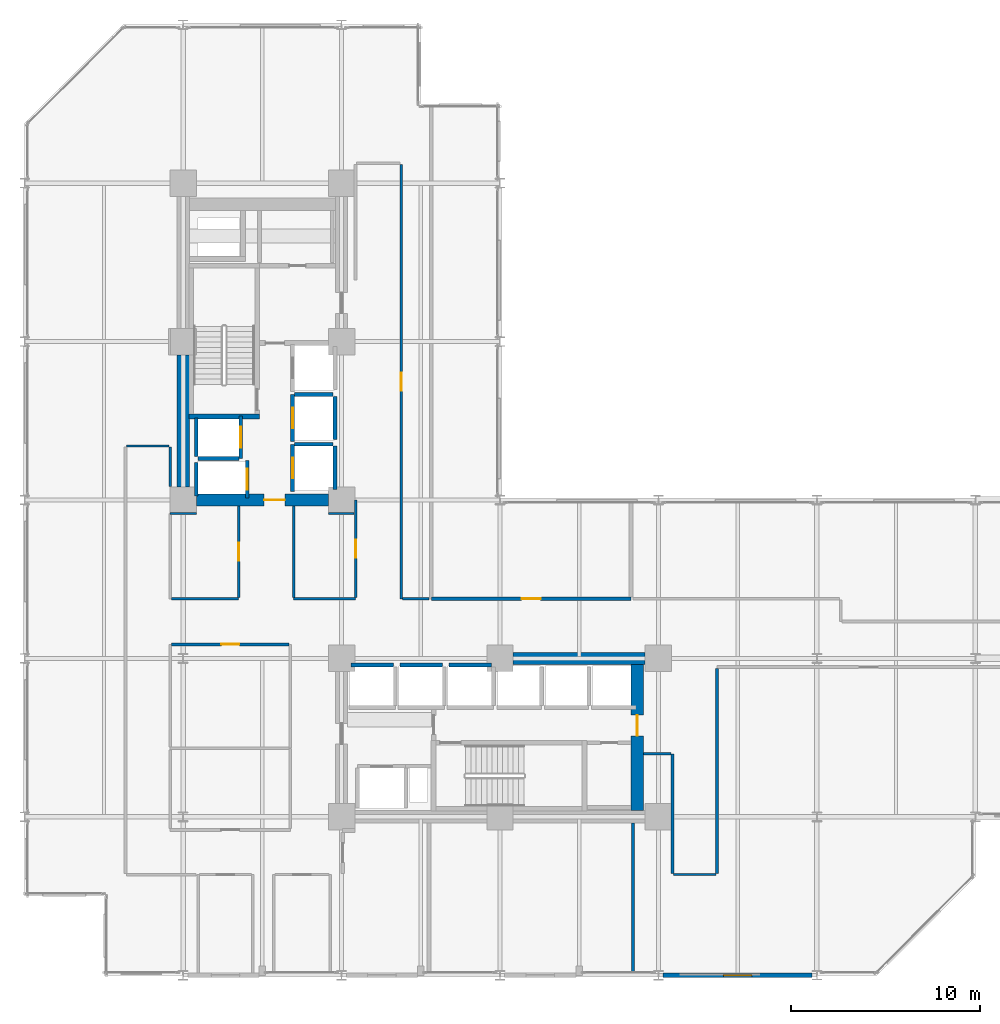
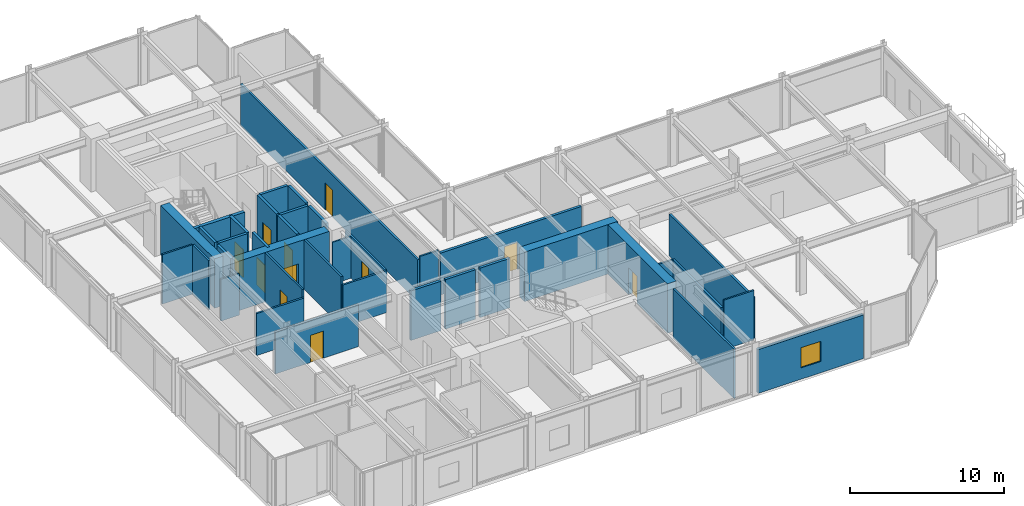
# One storey, part 22 of 26: 38 walls, 11 doors, 1 window, 12 openings.
"""IFC4 building model written with IfcOpenShell, lengths in metres."""

from ifc_helpers import new_model, si_unit, direction, frame, frame_2d, origin, place, context, subcontext, project, spatial, rectangle, extrude, material, layer, layer_set, type_object, element, fill, save


model = new_model("IFC4")

# Units and contexts
model_context = context("Model", 3, precision=1e-05, world=origin(), true_north=direction((0.0, 1.0)))
body_context = subcontext(model_context, "Body", "Model", "MODEL_VIEW")
ifc_project = project(units=[si_unit("LENGTHUNIT", "METRE"), si_unit("AREAUNIT", "SQUARE_METRE"), si_unit("VOLUMEUNIT", "CUBIC_METRE"), si_unit("PLANEANGLEUNIT", "RADIAN"), si_unit("MASSUNIT", "GRAM", prefix="KILO")], contexts=[model_context])

# Site, building, storey
site_placement = place(None, origin())
site = spatial("IfcSite", under=ifc_project, at=site_placement, CompositionType="ELEMENT")
building_placement = place(site_placement, origin())
building = spatial("IfcBuilding", under=site, at=building_placement, Name="Nerrivon Quay Data Exchange", CompositionType="ELEMENT")
storey_placement = place(building_placement, frame((0.0, 0.0, 71.0)))
storey = spatial("IfcBuildingStorey", under=building, at=storey_placement, Name="L16", CompositionType="ELEMENT", Elevation=71.0)

# Wall, opening, window
ifc_material_1 = material(Name="Architectural terracotta precast concrete N50 (50 MPa)", Category="masonry")
ifc_layer_1 = layer(ifc_material_1, 0.239990234375)
ifc_layer_set_1 = layer_set([ifc_layer_1], Name="Architectural terracotta precast concrete N50 (50 MPa)")
wall_type_1 = type_object("IfcWallType", Name="EW-PREC-240", PredefinedType="STANDARD", material=ifc_layer_set_1)
wall_1_placement = place(storey_placement, frame((41.75, 0.0, 0.0), z_axis=(0.0, 0.0, 1.0), x_axis=(-1.0, 0.0, 0.0)))
wall_1 = element("IfcWall", 1, at=wall_1_placement, inside=storey, type_object=wall_type_1, Name="L16 Podium Precast Spandrel Wall 7", PredefinedType="STANDARD", context=body_context, shape_type="SweptSolid", body=[
    extrude(rectangle(XDim=7.89990234375, YDim=0.239990234375, at=frame_2d((3.949951171875, 0.0))), origin(), (0.0, 0.0, 1.0), 3.470947265625),
])
opening_1_placement = place(wall_1_placement, frame((3.199951171875, 0.0, 0.89990234375)))
opening_1 = element("IfcOpeningElement", 2, at=opening_1_placement, cuts=wall_1, Name="Opening WN4", PredefinedType="OPENING", context=body_context, shape_type="SweptSolid", body=[
    extrude(rectangle(XDim=1.5, YDim=1.60009765625, at=frame_2d((0.75, 0.800048828125))), frame((0.0, 0.1298828125, 0.0), z_axis=(0.0, -1.0, 0.0), x_axis=(1.0, 0.0, 0.0)), (0.0, 0.0, 1.0), 0.260009765625),
])
ifc_material_2 = material(Name="Double-glazed low-E solar control glass", Category="glass")
window_type = type_object("IfcWindowType", Name="WIN-W4-1500x1600", PartitioningType="SINGLE_PANEL", PredefinedType="WINDOW", material=ifc_material_2)
window_placement = place(opening_1_placement, origin())
window = element("IfcWindow", 3, at=window_placement, inside=storey, type_object=window_type, Name="L16 Solar Facade Window 7", OverallHeight=1.60009765625, OverallWidth=1.5, PartitioningType="SINGLE_PANEL", PredefinedType="WINDOW", context=body_context, shape_type="SweptSolid", body=[
    extrude(rectangle(XDim=1.5, YDim=1.60009765625, at=frame_2d((0.75, 0.800048828125))), frame((0.0, 0.030029296875, 0.0), z_axis=(0.0, -1.0, 0.0), x_axis=(1.0, 0.0, 0.0)), (0.0, 0.0, 1.0), 0.06005859375),
])
fill(opening_1, window)

# Wall
ifc_material_3 = material(Name="Concrete N80 (80 MPa)", Category="concrete")
ifc_layer_2 = layer(ifc_material_3, 0.64990234375)
ifc_layer_set_2 = layer_set([ifc_layer_2], Name="Concrete N80 (80 MPa)")
wall_type_2 = type_object("IfcWallType", Name="WALL-CW-850", PredefinedType="SHEAR", material=ifc_layer_set_2)
wall_2_placement = place(storey_placement, frame((8.39990234375, 25.89990234375, 0.0), z_axis=(0.0, 0.0, 1.0), x_axis=(0.0, 1.0, 0.0)))
element("IfcWall", 4, at=wall_2_placement, inside=storey, type_object=wall_type_2, Name="L16 West Split-Core Shear Wall WCW-W1", PredefinedType="SHEAR", context=body_context, shape_type="SweptSolid", body=[
    extrude(rectangle(XDim=7.0, YDim=0.64990234375, at=frame_2d((3.5, 0.0))), origin(), (0.0, 0.0, 1.0), 3.925048828125),
])

# Wall, opening, door
wall_3_placement = place(storey_placement, frame((9.10009765625, 25.199951171875, 0.0), z_axis=(0.0, 0.0, 1.0), x_axis=(1.0, 0.0, 0.0)))
wall_3 = element("IfcWall", 5, at=wall_3_placement, inside=storey, type_object=wall_type_2, Name="L16 West Split-Core Shear Wall WCW-S1", PredefinedType="SHEAR", context=body_context, shape_type="SweptSolid", body=[
    extrude(rectangle(XDim=7.0, YDim=0.64990234375, at=frame_2d((3.5, 0.0))), origin(), (0.0, 0.0, 1.0), 3.925048828125),
])
opening_2_placement = place(wall_3_placement, frame((3.60009765625, 0.0, 0.0)))
opening_2 = element("IfcOpeningElement", 6, at=opening_2_placement, cuts=wall_3, Name="Opening FD-120", PredefinedType="OPENING", context=body_context, shape_type="SweptSolid", body=[
    extrude(rectangle(XDim=1.10009765625, YDim=2.14990234375, at=frame_2d((0.550048828125, 1.074951171875))), frame((0.0, 0.3349609375, 0.0), z_axis=(0.0, -1.0, 0.0), x_axis=(1.0, 0.0, 0.0)), (0.0, 0.0, 1.0), 0.669921875),
])
ifc_material_4 = material(Name="Powder-coated galvanized steel sheet", Category="steel")
door_type_1 = type_object("IfcDoorType", Name="DR-FD120-1100", OperationType="NOTDEFINED", PredefinedType="DOOR", material=ifc_material_4)
door_1_placement = place(opening_2_placement, origin())
door_1 = element("IfcDoor", 7, at=door_1_placement, inside=storey, type_object=door_type_1, Name="L16 West Core Lobby Fire Door", OperationType="SINGLE_SWING_LEFT", OverallHeight=2.14990234375, OverallWidth=1.10009765625, PredefinedType="DOOR", context=body_context, shape_type="SweptSolid", body=[
    extrude(rectangle(XDim=1.10009765625, YDim=2.14990234375, at=frame_2d((0.550048828125, 1.074951171875))), frame((0.0, 0.02490234375, 0.0), z_axis=(0.0, -1.0, 0.0), x_axis=(1.0, 0.0, 0.0)), (0.0, 0.0, 1.0), 0.050048828125),
])
fill(opening_2, door_1)

wall_4_placement = place(storey_placement, frame((32.47509765625, 8.72509765625, 0.0), z_axis=(0.0, 0.0, 1.0), x_axis=(0.0, 1.0, 0.0)))
wall_4 = element("IfcWall", 8, at=wall_4_placement, inside=storey, type_object=wall_type_2, Name="L16 East Split-Core Shear Wall ECW-E1", PredefinedType="SHEAR", context=body_context, shape_type="SweptSolid", body=[
    extrude(rectangle(XDim=7.75, YDim=0.64990234375, at=frame_2d((3.875, 0.0))), origin(), (0.0, 0.0, 1.0), 3.925048828125),
])
opening_3_placement = place(wall_4_placement, frame((3.97509765625, 0.0, 0.0)))
opening_3 = element("IfcOpeningElement", 9, at=opening_3_placement, cuts=wall_4, Name="Opening FD-120", PredefinedType="OPENING", context=body_context, shape_type="SweptSolid", body=[
    extrude(rectangle(XDim=1.10009765625, YDim=2.14990234375, at=frame_2d((0.550048828125, 1.074951171875))), frame((0.0, 0.3349609375, 0.0), z_axis=(0.0, -1.0, 0.0), x_axis=(1.0, 0.0, 0.0)), (0.0, 0.0, 1.0), 0.669921875),
])
door_2_placement = place(opening_3_placement, origin())
door_2 = element("IfcDoor", 10, at=door_2_placement, inside=storey, type_object=door_type_1, Name="L16 East Core Lobby Fire Door", OperationType="SINGLE_SWING_RIGHT", OverallHeight=2.14990234375, OverallWidth=1.10009765625, PredefinedType="DOOR", context=body_context, shape_type="SweptSolid", body=[
    extrude(rectangle(XDim=1.10009765625, YDim=2.14990234375, at=frame_2d((0.550048828125, 1.074951171875))), frame((0.0, 0.02490234375, 0.0), z_axis=(0.0, -1.0, 0.0), x_axis=(1.0, 0.0, 0.0)), (0.0, 0.0, 1.0), 0.050048828125),
])
fill(opening_3, door_2)

# Wall
wall_5_placement = place(storey_placement, frame((25.89990234375, 16.800048828125, 0.0), z_axis=(0.0, 0.0, 1.0), x_axis=(1.0, 0.0, 0.0)))
element("IfcWall", 11, at=wall_5_placement, inside=storey, type_object=wall_type_2, Name="L16 East Split-Core Shear Wall ECW-N1", PredefinedType="SHEAR", context=body_context, shape_type="SweptSolid", body=[
    extrude(rectangle(XDim=7.0, YDim=0.64990234375, at=frame_2d((3.5, 0.0))), origin(), (0.0, 0.0, 1.0), 3.925048828125),
])

# Wall, opening, door
ifc_material_5 = material(Name="Gypsum plasterboard on cold-formed framing", Category="gypsum")
ifc_layer_3 = layer(ifc_material_5, 0.199951171875)
ifc_layer_set_3 = layer_set([ifc_layer_3], Name="Gypsum plasterboard on cold-formed framing")
wall_type_3 = type_object("IfcWallType", Name="WALL-FW-200", PredefinedType="PARTITIONING", material=ifc_layer_set_3)
wall_6_placement = place(storey_placement, frame((11.449951171875, 27.39990234375, 0.0), z_axis=(0.0, 0.0, 1.0), x_axis=(0.0, 1.0, 0.0)))
wall_6 = element("IfcWall", 12, at=wall_6_placement, inside=storey, type_object=wall_type_3, Name="L16 Lift Front Wall FFL-1", PredefinedType="PARTITIONING", context=body_context, shape_type="SweptSolid", body=[
    extrude(rectangle(XDim=2.25, YDim=0.199951171875, at=frame_2d((1.125, 0.0))), origin(), (0.0, 0.0, 1.0), 3.925048828125),
])
opening_4_placement = place(wall_6_placement, frame((0.574951171875, 0.0, 0.0)))
opening_4 = element("IfcOpeningElement", 13, at=opening_4_placement, cuts=wall_6, Name="Opening LD-120", PredefinedType="OPENING", context=body_context, shape_type="SweptSolid", body=[
    extrude(rectangle(XDim=1.10009765625, YDim=2.199951171875, at=frame_2d((0.550048828125, 1.10009765625))), frame((0.0, 0.10986328125, 0.0), z_axis=(0.0, -1.0, 0.0), x_axis=(1.0, 0.0, 0.0)), (0.0, 0.0, 1.0), 0.219970703125),
])
door_type_2 = type_object("IfcDoorType", Name="DR-LIFT-LD120", OperationType="DOUBLE_DOOR_SLIDING", PredefinedType="DOOR", material=ifc_material_4)
door_3_placement = place(opening_4_placement, origin())
door_3 = element("IfcDoor", 14, at=door_3_placement, inside=storey, type_object=door_type_2, Name="L16 Lift Landing Sliding Door FFL-1", OperationType="DOUBLE_DOOR_SLIDING", OverallHeight=2.199951171875, OverallWidth=1.10009765625, PredefinedType="DOOR", context=body_context, shape_type="SweptSolid", body=[
    extrude(rectangle(XDim=1.10009765625, YDim=2.199951171875, at=frame_2d((0.550048828125, 1.10009765625))), frame((0.0, 0.02490234375, 0.0), z_axis=(0.0, -1.0, 0.0), x_axis=(1.0, 0.0, 0.0)), (0.0, 0.0, 1.0), 0.050048828125),
])
fill(opening_4, door_3)

# Walls
wall_7_placement = place(storey_placement, frame((9.10009765625, 27.5, 0.0), z_axis=(0.0, 0.0, 1.0), x_axis=(0.0, 1.0, 0.0)))
element("IfcWall", 15, at=wall_7_placement, inside=storey, type_object=wall_type_3, Name="L16 Lift Shaft Wall FFL-1 WEST", PredefinedType="PARTITIONING", context=body_context, shape_type="SweptSolid", body=[
    extrude(rectangle(XDim=2.050048828125, YDim=0.199951171875, at=frame_2d((1.02490234375, 0.0))), origin(), (0.0, 0.0, 1.0), 3.925048828125),
])
wall_8_placement = place(storey_placement, frame((9.199951171875, 27.39990234375, 0.0), z_axis=(0.0, 0.0, 1.0), x_axis=(1.0, 0.0, 0.0)))
element("IfcWall", 16, at=wall_8_placement, inside=storey, type_object=wall_type_3, Name="L16 Lift Shaft Wall FFL-1 SOUTH", PredefinedType="PARTITIONING", context=body_context, shape_type="SweptSolid", body=[
    extrude(rectangle(XDim=2.150146484375, YDim=0.199951171875, at=frame_2d((1.0751953125, 0.0))), origin(), (0.0, 0.0, 1.0), 3.925048828125),
])

# Wall, opening, door
wall_9_placement = place(storey_placement, frame((11.800048828125, 25.300048828125, 0.0), z_axis=(0.0, 0.0, 1.0), x_axis=(0.0, 1.0, 0.0)))
wall_9 = element("IfcWall", 17, at=wall_9_placement, inside=storey, type_object=wall_type_3, Name="L16 Lift Front Wall SVL-1", PredefinedType="PARTITIONING", context=body_context, shape_type="SweptSolid", body=[
    extrude(rectangle(XDim=2.0, YDim=0.199951171875, at=frame_2d((1.0, 0.0))), origin(), (0.0, 0.0, 1.0), 3.925048828125),
])
opening_5_placement = place(wall_9_placement, frame((0.449951171875, 0.0, 0.0)))
opening_5 = element("IfcOpeningElement", 18, at=opening_5_placement, cuts=wall_9, Name="Opening LD-120", PredefinedType="OPENING", context=body_context, shape_type="SweptSolid", body=[
    extrude(rectangle(XDim=1.10009765625, YDim=2.199951171875, at=frame_2d((0.550048828125, 1.10009765625))), frame((0.0, 0.10986328125, 0.0), z_axis=(0.0, -1.0, 0.0), x_axis=(1.0, 0.0, 0.0)), (0.0, 0.0, 1.0), 0.219970703125),
])
door_4_placement = place(opening_5_placement, origin())
door_4 = element("IfcDoor", 19, at=door_4_placement, inside=storey, type_object=door_type_2, Name="L16 Lift Landing Sliding Door SVL-1", OperationType="DOUBLE_DOOR_SLIDING", OverallHeight=2.199951171875, OverallWidth=1.10009765625, PredefinedType="DOOR", context=body_context, shape_type="SweptSolid", body=[
    extrude(rectangle(XDim=1.10009765625, YDim=2.199951171875, at=frame_2d((0.550048828125, 1.10009765625))), frame((0.0, 0.02490234375, 0.0), z_axis=(0.0, -1.0, 0.0), x_axis=(1.0, 0.0, 0.0)), (0.0, 0.0, 1.0), 0.050048828125),
])
fill(opening_5, door_4)

# Wall
wall_10_placement = place(storey_placement, frame((9.10009765625, 25.39990234375, 0.0), z_axis=(0.0, 0.0, 1.0), x_axis=(0.0, 1.0, 0.0)))
element("IfcWall", 20, at=wall_10_placement, inside=storey, type_object=wall_type_3, Name="L16 Lift Shaft Wall SVL-1 WEST", PredefinedType="PARTITIONING", context=body_context, shape_type="SweptSolid", body=[
    extrude(rectangle(XDim=1.800048828125, YDim=0.199951171875, at=frame_2d((0.89990234375, 0.0))), origin(), (0.0, 0.0, 1.0), 3.925048828125),
])

# Wall, opening, door
wall_11_placement = place(storey_placement, frame((14.199951171875, 25.64990234375, 0.0), z_axis=(0.0, 0.0, 1.0), x_axis=(0.0, 1.0, 0.0)))
wall_11 = element("IfcWall", 21, at=wall_11_placement, inside=storey, type_object=wall_type_3, Name="L16 Lift Front Wall PL1", PredefinedType="PARTITIONING", context=body_context, shape_type="SweptSolid", body=[
    extrude(rectangle(XDim=2.5, YDim=0.199951171875, at=frame_2d((1.25, 0.0))), origin(), (0.0, 0.0, 1.0), 3.925048828125),
])
opening_6_placement = place(wall_11_placement, frame((0.699951171875, 0.0, 0.0)))
opening_6 = element("IfcOpeningElement", 22, at=opening_6_placement, cuts=wall_11, Name="Opening LD-120", PredefinedType="OPENING", context=body_context, shape_type="SweptSolid", body=[
    extrude(rectangle(XDim=1.10009765625, YDim=2.199951171875, at=frame_2d((0.550048828125, 1.10009765625))), frame((0.0, 0.10986328125, 0.0), z_axis=(0.0, -1.0, 0.0), x_axis=(1.0, 0.0, 0.0)), (0.0, 0.0, 1.0), 0.219970703125),
])
door_5_placement = place(opening_6_placement, origin())
door_5 = element("IfcDoor", 23, at=door_5_placement, inside=storey, type_object=door_type_2, Name="L16 Lift Landing Sliding Door PL1", OperationType="DOUBLE_DOOR_SLIDING", OverallHeight=2.199951171875, OverallWidth=1.10009765625, PredefinedType="DOOR", context=body_context, shape_type="SweptSolid", body=[
    extrude(rectangle(XDim=1.10009765625, YDim=2.199951171875, at=frame_2d((0.550048828125, 1.10009765625))), frame((0.0, 0.02490234375, 0.0), z_axis=(0.0, -1.0, 0.0), x_axis=(1.0, 0.0, 0.0)), (0.0, 0.0, 1.0), 0.050048828125),
])
fill(opening_6, door_5)

# Walls
wall_12_placement = place(storey_placement, frame((16.449951171875, 25.75, 0.0), z_axis=(0.0, 0.0, 1.0), x_axis=(0.0, 1.0, 0.0)))
element("IfcWall", 24, at=wall_12_placement, inside=storey, type_object=wall_type_3, Name="L16 Lift Shaft Wall PL1 EAST", PredefinedType="PARTITIONING", context=body_context, shape_type="SweptSolid", body=[
    extrude(rectangle(XDim=2.300048828125, YDim=0.199951171875, at=frame_2d((1.14990234375, 0.0))), origin(), (0.0, 0.0, 1.0), 3.925048828125),
])
wall_13_placement = place(storey_placement, frame((14.300048828125, 28.14990234375, 0.0), z_axis=(0.0, 0.0, 1.0), x_axis=(1.0, 0.0, 0.0)))
element("IfcWall", 25, at=wall_13_placement, inside=storey, type_object=wall_type_3, Name="L16 Lift Shaft Wall PL1 NORTH", PredefinedType="PARTITIONING", context=body_context, shape_type="SweptSolid", body=[
    extrude(rectangle(XDim=2.050048828125, YDim=0.199951171875, at=frame_2d((1.02490234375, 0.0))), origin(), (0.0, 0.0, 1.0), 3.925048828125),
])

# Wall, opening, door
wall_14_placement = place(storey_placement, frame((14.199951171875, 28.300048828125, 0.0), z_axis=(0.0, 0.0, 1.0), x_axis=(0.0, 1.0, 0.0)))
wall_14 = element("IfcWall", 26, at=wall_14_placement, inside=storey, type_object=wall_type_3, Name="L16 Lift Front Wall PL2", PredefinedType="PARTITIONING", context=body_context, shape_type="SweptSolid", body=[
    extrude(rectangle(XDim=2.5, YDim=0.199951171875, at=frame_2d((1.25, 0.0))), origin(), (0.0, 0.0, 1.0), 3.925048828125),
])
opening_7_placement = place(wall_14_placement, frame((0.699951171875, 0.0, 0.0)))
opening_7 = element("IfcOpeningElement", 27, at=opening_7_placement, cuts=wall_14, Name="Opening LD-120", PredefinedType="OPENING", context=body_context, shape_type="SweptSolid", body=[
    extrude(rectangle(XDim=1.10009765625, YDim=2.199951171875, at=frame_2d((0.550048828125, 1.10009765625))), frame((0.0, 0.10986328125, 0.0), z_axis=(0.0, -1.0, 0.0), x_axis=(1.0, 0.0, 0.0)), (0.0, 0.0, 1.0), 0.219970703125),
])
door_6_placement = place(opening_7_placement, origin())
door_6 = element("IfcDoor", 28, at=door_6_placement, inside=storey, type_object=door_type_2, Name="L16 Lift Landing Sliding Door PL2", OperationType="DOUBLE_DOOR_SLIDING", OverallHeight=2.199951171875, OverallWidth=1.10009765625, PredefinedType="DOOR", context=body_context, shape_type="SweptSolid", body=[
    extrude(rectangle(XDim=1.10009765625, YDim=2.199951171875, at=frame_2d((0.550048828125, 1.10009765625))), frame((0.0, 0.02490234375, 0.0), z_axis=(0.0, -1.0, 0.0), x_axis=(1.0, 0.0, 0.0)), (0.0, 0.0, 1.0), 0.050048828125),
])
fill(opening_7, door_6)

# Walls
wall_15_placement = place(storey_placement, frame((16.449951171875, 28.39990234375, 0.0), z_axis=(0.0, 0.0, 1.0), x_axis=(0.0, 1.0, 0.0)))
element("IfcWall", 29, at=wall_15_placement, inside=storey, type_object=wall_type_3, Name="L16 Lift Shaft Wall PL2 EAST", PredefinedType="PARTITIONING", context=body_context, shape_type="SweptSolid", body=[
    extrude(rectangle(XDim=2.300048828125, YDim=0.199951171875, at=frame_2d((1.14990234375, 0.0))), origin(), (0.0, 0.0, 1.0), 3.925048828125),
])
wall_16_placement = place(storey_placement, frame((14.300048828125, 30.800048828125, 0.0), z_axis=(0.0, 0.0, 1.0), x_axis=(1.0, 0.0, 0.0)))
element("IfcWall", 30, at=wall_16_placement, inside=storey, type_object=wall_type_3, Name="L16 Lift Shaft Wall PL2 NORTH", PredefinedType="PARTITIONING", context=body_context, shape_type="SweptSolid", body=[
    extrude(rectangle(XDim=2.050048828125, YDim=0.199951171875, at=frame_2d((1.02490234375, 0.0))), origin(), (0.0, 0.0, 1.0), 3.925048828125),
])
for number, where, z_axis, x_axis, name in (
    (31, (17.300048828125, 16.449951171875, 0.0), (0.0, 0.0, 1.0), (1.0, 0.0, 0.0), "L16 Lift Shaft Wall PL4 NORTH"),
    (32, (19.89990234375, 16.449951171875, 0.0), (0.0, 0.0, 1.0), (1.0, 0.0, 0.0), "L16 Lift Shaft Wall PL5 NORTH"),
    (33, (22.5, 16.449951171875, 0.0), (0.0, 0.0, 1.0), (1.0, 0.0, 0.0), "L16 Lift Shaft Wall PL6 NORTH"),
):
    element("IfcWall", number, at=place(storey_placement, frame(where, z_axis=z_axis, x_axis=x_axis)), inside=storey, type_object=wall_type_3, Name=name, PredefinedType="PARTITIONING", context=body_context, shape_type="SweptSolid", body=[
        extrude(rectangle(XDim=2.25, YDim=0.199951171875, at=frame_2d((1.125, 0.0))), origin(), (0.0, 0.0, 1.0), 3.925048828125),
    ])

# Wall, opening, door
wall_17_placement = place(storey_placement, frame((21.556884765625, 19.9599609375, 0.0), z_axis=(0.0, 0.0, 1.0), x_axis=(1.0, 0.0, 0.0)))
wall_17 = element("IfcWall", 34, at=wall_17_placement, inside=storey, type_object=wall_type_3, Name="L16 Partition Colocation Data Workspace 2", PredefinedType="PARTITIONING", context=body_context, shape_type="SweptSolid", body=[
    extrude(rectangle(XDim=10.5830078125, YDim=0.199951171875, at=frame_2d((5.29150390625, 0.0))), origin(), (0.0, 0.0, 1.0), 3.322998046875),
])
opening_8_placement = place(wall_17_placement, frame((4.79150390625, 0.0, 0.0)))
opening_8 = element("IfcOpeningElement", 35, at=opening_8_placement, cuts=wall_17, Name="Opening FD-60", PredefinedType="OPENING", context=body_context, shape_type="SweptSolid", body=[
    extrude(rectangle(XDim=1.0, YDim=2.14990234375, at=frame_2d((0.5, 1.074951171875))), frame((0.0, 0.10986328125, 0.0), z_axis=(0.0, -1.0, 0.0), x_axis=(1.0, 0.0, 0.0)), (0.0, 0.0, 1.0), 0.219970703125),
])
ifc_material_6 = material(Name="Engineered hardwood timber", Category="wood")
door_type_3 = type_object("IfcDoorType", Name="DR-FD60-1000", OperationType="NOTDEFINED", PredefinedType="DOOR", material=ifc_material_6)
door_7_placement = place(opening_8_placement, origin())
door_7 = element("IfcDoor", 36, at=door_7_placement, inside=storey, type_object=door_type_3, Name="L16 Door Colocation Data Workspace 2", OperationType="SINGLE_SWING_RIGHT", OverallHeight=2.14990234375, OverallWidth=1.0, PredefinedType="DOOR", context=body_context, shape_type="SweptSolid", body=[
    extrude(rectangle(XDim=1.0, YDim=2.14990234375, at=frame_2d((0.5, 1.074951171875))), frame((0.0, 0.02490234375, 0.0), z_axis=(0.0, -1.0, 0.0), x_axis=(1.0, 0.0, 0.0)), (0.0, 0.0, 1.0), 0.050048828125),
])
fill(opening_8, door_7)

# Walls
ifc_layer_4 = layer(ifc_material_5, 0.1201171875)
ifc_layer_set_4 = layer_set([ifc_layer_4], Name="Gypsum plasterboard on cold-formed framing")
wall_type_4 = type_object("IfcWallType", Name="WALL-PT-120", PredefinedType="PARTITIONING", material=ifc_layer_set_4)
wall_18_placement = place(storey_placement, frame((17.468505859375, 24.47998046875, 0.0), z_axis=(0.0, 0.0, 1.0), x_axis=(-0.99999974752, 0.000710605612, 0.0)))
element("IfcWall", 37, at=wall_18_placement, inside=storey, type_object=wall_type_4, Name="L16 Partition Staff Pantry", PredefinedType="PARTITIONING", context=body_context, shape_type="SweptSolid", body=[
    extrude(rectangle(XDim=1.374267578125, YDim=0.1201171875, at=frame_2d((0.68701171875, 0.0))), origin(), (0.0, 0.0, 1.0), 3.322998046875),
])
wall_19_placement = place(storey_placement, frame((36.64990234375, 5.340087890625, 0.0), z_axis=(0.0, 0.0, 1.0), x_axis=(-1.0, 0.0, 0.0)))
element("IfcWall", 38, at=wall_19_placement, inside=storey, type_object=wall_type_4, Name="L16 Partition Network Operations Office 1", PredefinedType="PARTITIONING", context=body_context, shape_type="SweptSolid", body=[
    extrude(rectangle(XDim=2.25, YDim=0.1201171875, at=frame_2d((1.125, 0.0))), origin(), (0.0, 0.0, 1.0), 3.925048828125),
])
wall_20_placement = place(storey_placement, frame((34.260986328125, 11.739990234375, 0.0), z_axis=(0.0, 0.0, 1.0), x_axis=(-1.0, 0.0, 0.0)))
element("IfcWall", 39, at=wall_20_placement, inside=storey, type_object=wall_type_4, Name="L16 Partition Network Operations Office 1", PredefinedType="PARTITIONING", context=body_context, shape_type="SweptSolid", body=[
    extrude(rectangle(XDim=1.45703125, YDim=0.1201171875, at=frame_2d((0.728515625, 0.0))), origin(), (0.0, 0.0, 1.0), 3.322998046875),
])
wall_21_placement = place(storey_placement, frame((20.0390625, 19.9599609375, 0.0), z_axis=(0.0, 0.0, 1.0), x_axis=(1.0, 0.0, 0.0)))
element("IfcWall", 40, at=wall_21_placement, inside=storey, type_object=wall_type_4, Name="L16 Partition Optical Engineering Studios Workspace", PredefinedType="PARTITIONING", context=body_context, shape_type="SweptSolid", body=[
    extrude(rectangle(XDim=1.397705078125, YDim=0.1201171875, at=frame_2d((0.69873046875, 0.0))), origin(), (0.0, 0.0, 1.0), 3.56591796875),
])
wall_22_placement = place(storey_placement, frame((5.39990234375, 28.06005859375, 0.0), z_axis=(0.0, 0.0, 1.0), x_axis=(1.0, 0.0, 0.0)))
element("IfcWall", 41, at=wall_22_placement, inside=storey, type_object=wall_type_4, Name="L16 Partition Optical Engineering Studios Workspace", PredefinedType="PARTITIONING", context=body_context, shape_type="SweptSolid", body=[
    extrude(rectangle(XDim=2.25, YDim=0.1201171875, at=frame_2d((1.125, 0.0))), origin(), (0.0, 0.0, 1.0), 3.925048828125),
])
wall_23_placement = place(storey_placement, frame((7.7099609375, 28.0, 0.0), z_axis=(0.0, 0.0, 1.0), x_axis=(0.0, -1.0, 0.0)))
element("IfcWall", 42, at=wall_23_placement, inside=storey, type_object=wall_type_4, Name="L16 Partition Optical Engineering Studios Workspace", PredefinedType="PARTITIONING", context=body_context, shape_type="SweptSolid", body=[
    extrude(rectangle(XDim=2.080078125, YDim=0.1201171875, at=frame_2d((1.0400390625, 0.0))), origin(), (0.0, 0.0, 1.0), 3.925048828125),
])
wall_24_placement = place(storey_placement, frame((9.105712890625, 24.48095703125, 0.0), z_axis=(0.0, 0.0, 1.0), x_axis=(-0.999999755233, -0.000699667487, 0.0)))
element("IfcWall", 43, at=wall_24_placement, inside=storey, type_object=wall_type_4, Name="L16 Partition Optical Engineering Studios Workspace", PredefinedType="PARTITIONING", context=body_context, shape_type="SweptSolid", body=[
    extrude(rectangle(XDim=1.395751953125, YDim=0.1201171875, at=frame_2d((0.69775390625, 0.0))), origin(), (0.0, 0.0, 1.0), 3.322998046875),
])
ifc_layer_5 = layer(ifc_material_5, 0.135009765625)
ifc_layer_set_5 = layer_set([ifc_layer_5], Name="Gypsum plasterboard on cold-formed framing")
wall_type_5 = type_object("IfcWallType", Name="WALL-PT-135", PredefinedType="PARTITIONING", material=ifc_layer_set_5)
wall_25_placement = place(storey_placement, frame((14.260009765625, 19.9599609375, 0.0), z_axis=(0.0, 0.0, 1.0), x_axis=(1.0, 0.0, 0.0)))
element("IfcWall", 44, at=wall_25_placement, inside=storey, type_object=wall_type_5, Name="L16 Partition Staff Pantry", PredefinedType="PARTITIONING", context=body_context, shape_type="SweptSolid", body=[
    extrude(rectangle(XDim=3.280029296875, YDim=0.135009765625, at=frame_2d((1.64013671875, 0.0))), origin(), (0.0, 0.0, 1.0), 3.322998046875),
])

# Wall, opening, door
wall_26_placement = place(storey_placement, frame((17.5400390625, 20.031494140625, 0.0), z_axis=(0.0, 0.0, 1.0), x_axis=(0.0, 1.0, 0.0)))
wall_26 = element("IfcWall", 45, at=wall_26_placement, inside=storey, type_object=wall_type_5, Name="L16 Partition Staff Pantry", PredefinedType="PARTITIONING", context=body_context, shape_type="SweptSolid", body=[
    extrude(rectangle(XDim=5.16845703125, YDim=0.135009765625, at=frame_2d((2.584228515625, 0.0))), origin(), (0.0, 0.0, 1.0), 3.31298828125),
])
opening_9_placement = place(wall_26_placement, frame((2.109130859375, 0.0, 0.0)))
opening_9 = element("IfcOpeningElement", 46, at=opening_9_placement, cuts=wall_26, Name="Opening D-01", PredefinedType="OPENING", context=body_context, shape_type="SweptSolid", body=[
    extrude(rectangle(XDim=0.949951171875, YDim=2.14990234375, at=frame_2d((0.47509765625, 1.074951171875))), frame((0.0, 0.077392578125, 0.0), z_axis=(0.0, -1.0, 0.0), x_axis=(1.0, 0.0, 0.0)), (0.0, 0.0, 1.0), 0.155029296875),
])
door_type_4 = type_object("IfcDoorType", Name="DR-INT-950", OperationType="NOTDEFINED", PredefinedType="DOOR", material=ifc_material_6)
door_8_placement = place(opening_9_placement, origin())
door_8 = element("IfcDoor", 47, at=door_8_placement, inside=storey, type_object=door_type_4, Name="L16 Door Staff Pantry", OperationType="SINGLE_SWING_RIGHT", OverallHeight=2.14990234375, OverallWidth=0.949951171875, PredefinedType="DOOR", context=body_context, shape_type="SweptSolid", body=[
    extrude(rectangle(XDim=0.949951171875, YDim=2.14990234375, at=frame_2d((0.47509765625, 1.074951171875))), frame((0.0, 0.02490234375, 0.0), z_axis=(0.0, -1.0, 0.0), x_axis=(1.0, 0.0, 0.0)), (0.0, 0.0, 1.0), 0.050048828125),
])
fill(opening_9, door_8)

# Walls
wall_27_placement = place(storey_placement, frame((14.260009765625, 24.87109375, 0.0), z_axis=(0.0, 0.0, 1.0), x_axis=(0.0, -1.0, 0.0)))
element("IfcWall", 48, at=wall_27_placement, inside=storey, type_object=wall_type_5, Name="L16 Partition Staff Pantry", PredefinedType="PARTITIONING", context=body_context, shape_type="SweptSolid", body=[
    extrude(rectangle(XDim=4.839599609375, YDim=0.135009765625, at=frame_2d((2.419921875, 0.0))), origin(), (0.0, 0.0, 1.0), 3.925048828125),
])
wall_28_placement = place(storey_placement, frame((7.781494140625, 19.9599609375, 0.0), z_axis=(0.0, 0.0, 1.0), x_axis=(1.0, 0.0, 0.0)))
element("IfcWall", 49, at=wall_28_placement, inside=storey, type_object=wall_type_5, Name="L16 Partition Optical Engineering Studios Workspace", PredefinedType="PARTITIONING", context=body_context, shape_type="SweptSolid", body=[
    extrude(rectangle(XDim=3.55859375, YDim=0.135009765625, at=frame_2d((1.779296875, 0.0))), origin(), (0.0, 0.0, 1.0), 3.322998046875),
])

# Wall, opening, door
wall_29_placement = place(storey_placement, frame((11.340087890625, 20.031494140625, 0.0), z_axis=(0.0, 0.0, 1.0), x_axis=(0.0, 1.0, 0.0)))
wall_29 = element("IfcWall", 50, at=wall_29_placement, inside=storey, type_object=wall_type_5, Name="L16 Partition Optical Engineering Studios Workspace", PredefinedType="PARTITIONING", context=body_context, shape_type="SweptSolid", body=[
    extrude(rectangle(XDim=4.839599609375, YDim=0.135009765625, at=frame_2d((2.419921875, 0.0))), origin(), (0.0, 0.0, 1.0), 3.925048828125),
])
opening_10_placement = place(wall_29_placement, frame((1.944580078125, 0.0, 0.0)))
opening_10 = element("IfcOpeningElement", 51, at=opening_10_placement, cuts=wall_29, Name="Opening D-01", PredefinedType="OPENING", context=body_context, shape_type="SweptSolid", body=[
    extrude(rectangle(XDim=0.949951171875, YDim=2.14990234375, at=frame_2d((0.47509765625, 1.074951171875))), frame((0.0, 0.077392578125, 0.0), z_axis=(0.0, -1.0, 0.0), x_axis=(1.0, 0.0, 0.0)), (0.0, 0.0, 1.0), 0.155029296875),
])
door_9_placement = place(opening_10_placement, origin())
door_9 = element("IfcDoor", 52, at=door_9_placement, inside=storey, type_object=door_type_4, Name="L16 Door Optical Engineering Studios Workspace", OperationType="SINGLE_SWING_LEFT", OverallHeight=2.14990234375, OverallWidth=0.949951171875, PredefinedType="DOOR", context=body_context, shape_type="SweptSolid", body=[
    extrude(rectangle(XDim=0.949951171875, YDim=2.14990234375, at=frame_2d((0.47509765625, 1.074951171875))), frame((0.0, 0.02490234375, 0.0), z_axis=(0.0, -1.0, 0.0), x_axis=(1.0, 0.0, 0.0)), (0.0, 0.0, 1.0), 0.050048828125),
])
fill(opening_10, door_9)

ifc_layer_6 = layer(ifc_material_5, 0.14990234375)
ifc_layer_set_6 = layer_set([ifc_layer_6], Name="Gypsum plasterboard on cold-formed framing")
wall_type_6 = type_object("IfcWallType", Name="WALL-PT-150", PredefinedType="PARTITIONING", material=ifc_layer_set_6)
wall_30_placement = place(storey_placement, frame((14.0185546875, 17.5400390625, 0.0), z_axis=(0.0, 0.0, 1.0), x_axis=(-1.0, 0.0, 0.0)))
wall_30 = element("IfcWall", 53, at=wall_30_placement, inside=storey, type_object=wall_type_6, Name="L16 Partition Cloud Compute Workspace 1", PredefinedType="PARTITIONING", context=body_context, shape_type="SweptSolid", body=[
    extrude(rectangle(XDim=6.237060546875, YDim=0.14990234375, at=frame_2d((3.11865234375, 0.0))), origin(), (0.0, 0.0, 1.0), 3.322998046875),
])
opening_11_placement = place(wall_30_placement, frame((2.6435546875, 0.0, 0.0)))
opening_11 = element("IfcOpeningElement", 54, at=opening_11_placement, cuts=wall_30, Name="Opening D-01", PredefinedType="OPENING", context=body_context, shape_type="SweptSolid", body=[
    extrude(rectangle(XDim=0.949951171875, YDim=2.14990234375, at=frame_2d((0.47509765625, 1.074951171875))), frame((0.0, 0.0849609375, 0.0), z_axis=(0.0, -1.0, 0.0), x_axis=(1.0, 0.0, 0.0)), (0.0, 0.0, 1.0), 0.169921875),
])
door_10_placement = place(opening_11_placement, origin())
door_10 = element("IfcDoor", 55, at=door_10_placement, inside=storey, type_object=door_type_4, Name="L16 Door Cloud Compute Workspace 1", OperationType="SINGLE_SWING_RIGHT", OverallHeight=2.14990234375, OverallWidth=0.949951171875, PredefinedType="DOOR", context=body_context, shape_type="SweptSolid", body=[
    extrude(rectangle(XDim=0.949951171875, YDim=2.14990234375, at=frame_2d((0.47509765625, 1.074951171875))), frame((0.0, 0.02490234375, 0.0), z_axis=(0.0, -1.0, 0.0), x_axis=(1.0, 0.0, 0.0)), (0.0, 0.0, 1.0), 0.050048828125),
])
fill(opening_11, door_10)

# Walls
wall_31_placement = place(storey_placement, frame((36.7099609375, 16.260986328125, 0.0), z_axis=(0.0, 0.0, 1.0), x_axis=(0.0, -1.0, 0.0)))
element("IfcWall", 56, at=wall_31_placement, inside=storey, type_object=wall_type_6, Name="L16 Partition Network Operations Office 1", PredefinedType="PARTITIONING", context=body_context, shape_type="SweptSolid", body=[
    extrude(rectangle(XDim=10.861083984375, YDim=0.14990234375, at=frame_2d((5.4306640625, 0.0))), origin(), (0.0, 0.0, 1.0), 3.31298828125),
])
wall_32_placement = place(storey_placement, frame((34.340087890625, 5.39990234375, 0.0), z_axis=(0.0, 0.0, 1.0), x_axis=(0.0, 1.0, 0.0)))
element("IfcWall", 57, at=wall_32_placement, inside=storey, type_object=wall_type_6, Name="L16 Partition Network Operations Office 1", PredefinedType="PARTITIONING", context=body_context, shape_type="SweptSolid", body=[
    extrude(rectangle(XDim=6.340087890625, YDim=0.14990234375, at=frame_2d((3.169921875, 0.0))), origin(), (0.0, 0.0, 1.0), 3.31298828125),
])
wall_33_placement = place(storey_placement, frame((32.260009765625, 8.071044921875, 0.0), z_axis=(0.0, 0.0, 1.0), x_axis=(0.0, -1.0, 0.0)))
element("IfcWall", 58, at=wall_33_placement, inside=storey, type_object=wall_type_6, Name="L16 Partition Network Operations Office 1", PredefinedType="PARTITIONING", context=body_context, shape_type="SweptSolid", body=[
    extrude(rectangle(XDim=7.902099609375, YDim=0.14990234375, at=frame_2d((3.951171875, 0.0))), origin(), (0.0, 0.0, 1.0), 3.925048828125),
])

# Wall, opening, door
wall_34_placement = place(storey_placement, frame((19.9599609375, 43.0, 0.0), z_axis=(0.0, 0.0, 1.0), x_axis=(0.0, -1.0, 0.0)))
wall_34 = element("IfcWall", 59, at=wall_34_placement, inside=storey, type_object=wall_type_6, Name="L16 Partition Optical Engineering Studios Workspace", PredefinedType="PARTITIONING", context=body_context, shape_type="SweptSolid", body=[
    extrude(rectangle(XDim=23.0400390625, YDim=0.14990234375, at=frame_2d((11.52001953125, 0.0))), origin(), (0.0, 0.0, 1.0), 3.31298828125),
])
opening_12_placement = place(wall_34_placement, frame((11.044921875, 0.0, 0.0)))
opening_12 = element("IfcOpeningElement", 60, at=opening_12_placement, cuts=wall_34, Name="Opening D-01", PredefinedType="OPENING", context=body_context, shape_type="SweptSolid", body=[
    extrude(rectangle(XDim=0.949951171875, YDim=2.14990234375, at=frame_2d((0.47509765625, 1.074951171875))), frame((0.0, 0.0849609375, 0.0), z_axis=(0.0, -1.0, 0.0), x_axis=(1.0, 0.0, 0.0)), (0.0, 0.0, 1.0), 0.169921875),
])
door_11_placement = place(opening_12_placement, origin())
door_11 = element("IfcDoor", 61, at=door_11_placement, inside=storey, type_object=door_type_4, Name="L16 Door Optical Engineering Studios Workspace", OperationType="SINGLE_SWING_RIGHT", OverallHeight=2.14990234375, OverallWidth=0.949951171875, PredefinedType="DOOR", context=body_context, shape_type="SweptSolid", body=[
    extrude(rectangle(XDim=0.949951171875, YDim=2.14990234375, at=frame_2d((0.47509765625, 1.074951171875))), frame((0.0, 0.02490234375, 0.0), z_axis=(0.0, -1.0, 0.0), x_axis=(1.0, 0.0, 0.0)), (0.0, 0.0, 1.0), 0.050048828125),
])
fill(opening_12, door_11)

# Wall
ifc_material_7 = material(Name="Concrete N50 (50 MPa)", Category="concrete")
ifc_layer_7 = layer(ifc_material_7, 0.25)
ifc_layer_set_7 = layer_set([ifc_layer_7], Name="Concrete N50 (50 MPa)")
wall_type_7 = type_object("IfcWallType", Name="WALL-SW-250", PredefinedType="SHEAR", material=ifc_layer_set_7)
wall_35_placement = place(storey_placement, frame((12.449951171875, 29.625, 0.0), z_axis=(0.0, 0.0, 1.0), x_axis=(-1.0, 0.0, 0.0)))
element("IfcWall", 62, at=wall_35_placement, inside=storey, type_object=wall_type_7, Name="L16 ST01 Structural Stair Core Wall NEAR", PredefinedType="SHEAR", context=body_context, shape_type="SweptSolid", body=[
    extrude(rectangle(XDim=3.75, YDim=0.25, at=frame_2d((1.875, 0.0))), origin(), (0.0, 0.0, 1.0), 3.925048828125),
])

save(model, "model.ifc")
